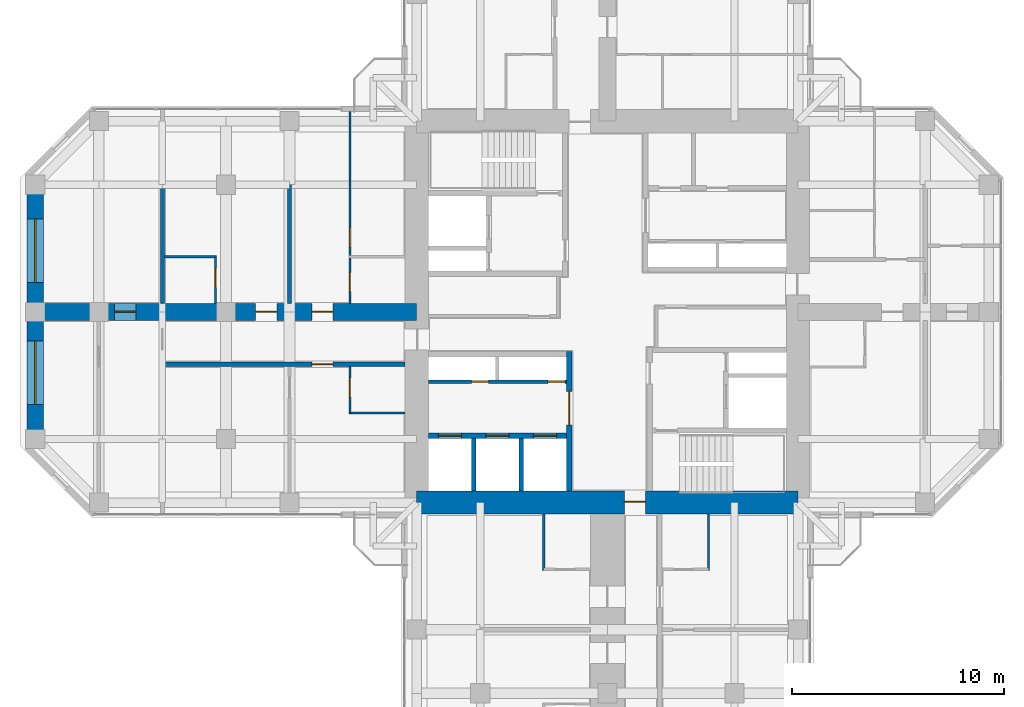
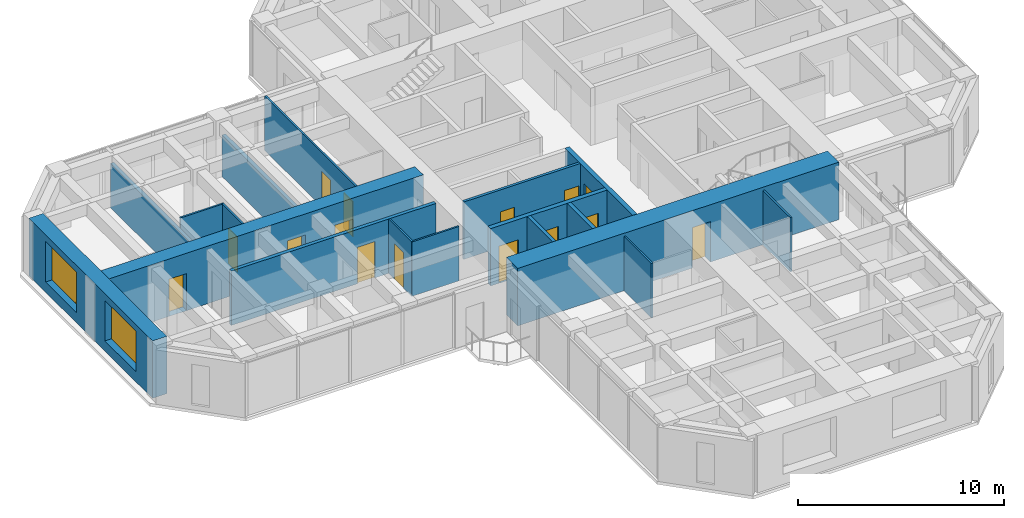
# One storey, part 9 of 14: 18 walls, 15 doors, 2 windows, 17 openings.
"""IFC4 building model written with IfcOpenShell, lengths in metres."""

from ifc_helpers import new_model, si_unit, direction, frame, frame_2d, origin, place, context, subcontext, project, spatial, rectangle, hollow_rectangle, extrude, material, layer, layer_set, constituent, constituent_set, type_object, element, fill, save


model = new_model("IFC4")

# Units and contexts
model_context = context("Model", 3, precision=1e-05, world=origin(), true_north=direction((0.0, 1.0)))
body_context = subcontext(model_context, "Body", "Model", "MODEL_VIEW")
ifc_project = project(units=[si_unit("LENGTHUNIT", "METRE"), si_unit("AREAUNIT", "SQUARE_METRE"), si_unit("VOLUMEUNIT", "CUBIC_METRE"), si_unit("PLANEANGLEUNIT", "RADIAN"), si_unit("MASSUNIT", "GRAM", prefix="KILO")], contexts=[model_context])

# Site, building, storey
site_placement = place(None, origin())
site = spatial("IfcSite", under=ifc_project, at=site_placement, CompositionType="ELEMENT")
building_placement = place(site_placement, origin())
building = spatial("IfcBuilding", under=site, at=building_placement, Name="Torre Cruceta", CompositionType="ELEMENT")
storey_placement = place(building_placement, frame((0.0, 0.0, 203.5)))
storey = spatial("IfcBuildingStorey", under=building, at=storey_placement, Name="L51", CompositionType="ELEMENT", Elevation=203.5)

# Walls
ifc_material_1 = material(Name="Water-resistant plasterboard on steel studs", Category="steel")
ifc_layer_1 = layer(ifc_material_1, 0.10009765625)
ifc_layer_set_1 = layer_set([ifc_layer_1], Name="Water-resistant plasterboard on steel studs")
wall_type_1 = type_object("IfcWallType", Name="BATHROOM WALL 100", PredefinedType="PARTITIONING", material=ifc_layer_set_1)
for number, where, z_axis, x_axis, name in (
    (1, (4.77490234375, -9.550048828125, 0.0), (0.0, 0.0, 1.0), (0.0, -1.0, 0.0), "PT4 L51-S-U1LBB"),
    (2, (-3.0, -9.550048828125, 0.0), (0.0, 0.0, 1.0), (0.0, -1.0, 0.0), "PT4 L51-S-U1RBB"),
    (3, (-9.550048828125, -4.77490234375, 0.0), (0.0, 0.0, 1.0), (-1.0, 0.0, 0.0), "PT4 L51-W-U1LBB"),
):
    element("IfcWall", number, at=place(storey_placement, frame(where, z_axis=z_axis, x_axis=x_axis)), inside=storey, type_object=wall_type_1, Name=name, PredefinedType="PARTITIONING", context=body_context, shape_type="SweptSolid", body=[
        extrude(rectangle(XDim=2.64990234375, YDim=0.10009765625, at=frame_2d((1.324951171875, 0.0))), origin(), (0.0, 0.0, 1.0), 3.219970703125),
    ])

# Wall, opening, door
wall_1_placement = place(storey_placement, frame((-12.14990234375, -2.574951171875, 0.0), z_axis=(0.0, 0.0, 1.0), x_axis=(0.0, -1.0, 0.0)))
wall_1 = element("IfcWall", 4, at=wall_1_placement, inside=storey, type_object=wall_type_1, Name="PT4 L51-W-U1LBS", PredefinedType="PARTITIONING", context=body_context, shape_type="SweptSolid", body=[
    extrude(rectangle(XDim=2.199951171875, YDim=0.10009765625, at=frame_2d((1.10009765625, 0.0))), origin(), (0.0, 0.0, 1.0), 3.219970703125),
])
opening_1_placement = place(wall_1_placement, frame((0.550048828125, 0.0, 0.0)))
opening_1 = element("IfcOpeningElement", 5, at=opening_1_placement, cuts=wall_1, Name="Opening D7", PredefinedType="OPENING", context=body_context, shape_type="SweptSolid", body=[
    extrude(rectangle(XDim=0.89990234375, YDim=2.10009765625, at=frame_2d((0.449951171875, 1.050048828125))), frame((0.0, 0.06005859375, 0.0), z_axis=(0.0, -1.0, 0.0), x_axis=(1.0, 0.0, 0.0)), (0.0, 0.0, 1.0), 0.1201171875),
])
ifc_material_2 = material(Name="Timber door", Category="wood")
door_type_1 = type_object("IfcDoorType", Name="BATHROOM DOOR 900X2100", OperationType="SINGLE_SWING_LEFT", PredefinedType="DOOR", material=ifc_material_2)
door_1_placement = place(opening_1_placement, origin())
door_1 = element("IfcDoor", 6, at=door_1_placement, inside=storey, type_object=door_type_1, Name="D7 L51-W-U1LBS-D1", OperationType="SINGLE_SWING_LEFT", OverallHeight=2.10009765625, OverallWidth=0.89990234375, PredefinedType="DOOR", context=body_context, shape_type="SweptSolid", body=[
    extrude(rectangle(XDim=0.89990234375, YDim=2.10009765625, at=frame_2d((0.449951171875, 1.050048828125))), frame((0.0, 0.02490234375, 0.0), z_axis=(0.0, -1.0, 0.0), x_axis=(1.0, 0.0, 0.0)), (0.0, 0.0, 1.0), 0.050048828125),
])
fill(opening_1, door_1)

# Wall, openings, doors
wall_2_placement = place(storey_placement, frame((-12.14990234375, 9.445068359375, 0.0), z_axis=(0.0, 0.0, 1.0), x_axis=(0.0, -1.0, 0.0)))
wall_2 = element("IfcWall", 7, at=wall_2_placement, inside=storey, type_object=wall_type_1, Name="PT4 L51-W-U1RBS", PredefinedType="PARTITIONING", context=body_context, shape_type="SweptSolid", body=[
    extrude(rectangle(XDim=9.045166015625, YDim=0.10009765625, at=frame_2d((4.5224609375, 0.0))), origin(), (0.0, 0.0, 1.0), 3.219970703125),
])
opening_2_placement = place(wall_2_placement, frame((5.4951171875, 0.0, 0.0)))
opening_2 = element("IfcOpeningElement", 8, at=opening_2_placement, cuts=wall_2, Name="Opening D7", PredefinedType="OPENING", context=body_context, shape_type="SweptSolid", body=[
    extrude(rectangle(XDim=0.89990234375, YDim=2.10009765625, at=frame_2d((0.449951171875, 1.050048828125))), frame((0.0, 0.06005859375, 0.0), z_axis=(0.0, -1.0, 0.0), x_axis=(1.0, 0.0, 0.0)), (0.0, 0.0, 1.0), 0.1201171875),
])
opening_3_placement = place(wall_2_placement, frame((7.594970703125, 0.0, 0.0)))
opening_3 = element("IfcOpeningElement", 9, at=opening_3_placement, cuts=wall_2, Name="Opening D7", PredefinedType="OPENING", context=body_context, shape_type="SweptSolid", body=[
    extrude(rectangle(XDim=0.89990234375, YDim=2.10009765625, at=frame_2d((0.449951171875, 1.050048828125))), frame((0.0, 0.06005859375, 0.0), z_axis=(0.0, -1.0, 0.0), x_axis=(1.0, 0.0, 0.0)), (0.0, 0.0, 1.0), 0.1201171875),
])
door_2_placement = place(opening_2_placement, origin())
door_2 = element("IfcDoor", 10, at=door_2_placement, inside=storey, type_object=door_type_1, Name="D7 L51-W-U1RBS-D1", OperationType="SINGLE_SWING_RIGHT", OverallHeight=2.10009765625, OverallWidth=0.89990234375, PredefinedType="DOOR", context=body_context, shape_type="SweptSolid", body=[
    extrude(rectangle(XDim=0.89990234375, YDim=2.10009765625, at=frame_2d((0.449951171875, 1.050048828125))), frame((0.0, 0.02490234375, 0.0), z_axis=(0.0, -1.0, 0.0), x_axis=(1.0, 0.0, 0.0)), (0.0, 0.0, 1.0), 0.050048828125),
])
fill(opening_2, door_2)
door_3_placement = place(opening_3_placement, origin())
door_3 = element("IfcDoor", 11, at=door_3_placement, inside=storey, type_object=door_type_1, Name="D7 L51-W-U1RBS-D2", OperationType="SINGLE_SWING_RIGHT", OverallHeight=2.10009765625, OverallWidth=0.89990234375, PredefinedType="DOOR", context=body_context, shape_type="SweptSolid", body=[
    extrude(rectangle(XDim=0.89990234375, YDim=2.10009765625, at=frame_2d((0.449951171875, 1.050048828125))), frame((0.0, 0.02490234375, 0.0), z_axis=(0.0, -1.0, 0.0), x_axis=(1.0, 0.0, 0.0)), (0.0, 0.0, 1.0), 0.050048828125),
])
fill(opening_3, door_3)

# Wall
wall_3_placement = place(storey_placement, frame((-18.449951171875, 2.60009765625, 0.0), z_axis=(0.0, 0.0, 1.0), x_axis=(-1.0, 0.0, 0.0)))
element("IfcWall", 12, at=wall_3_placement, inside=storey, type_object=wall_type_1, Name="PT4 L51-W-U2RBB", PredefinedType="PARTITIONING", context=body_context, shape_type="SweptSolid", body=[
    extrude(rectangle(XDim=2.449951171875, YDim=0.10009765625, at=frame_2d((1.22509765625, 0.0))), origin(), (0.0, 0.0, 1.0), 3.219970703125),
])

# Wall, opening, door
wall_4_placement = place(storey_placement, frame((-18.5, 2.60009765625, 0.0), z_axis=(0.0, 0.0, 1.0), x_axis=(0.0, -1.0, 0.0)))
wall_4 = element("IfcWall", 13, at=wall_4_placement, inside=storey, type_object=wall_type_1, Name="PT4 L51-W-U2RBS", PredefinedType="PARTITIONING", context=body_context, shape_type="SweptSolid", body=[
    extrude(rectangle(XDim=2.2001953125, YDim=0.10009765625, at=frame_2d((1.10009765625, 0.0))), origin(), (0.0, 0.0, 1.0), 3.219970703125),
])
opening_4_placement = place(wall_4_placement, frame((0.550048828125, 0.0, 0.0)))
opening_4 = element("IfcOpeningElement", 14, at=opening_4_placement, cuts=wall_4, Name="Opening D7", PredefinedType="OPENING", context=body_context, shape_type="SweptSolid", body=[
    extrude(rectangle(XDim=0.89990234375, YDim=2.10009765625, at=frame_2d((0.449951171875, 1.050048828125))), frame((0.0, 0.06005859375, 0.0), z_axis=(0.0, -1.0, 0.0), x_axis=(1.0, 0.0, 0.0)), (0.0, 0.0, 1.0), 0.1201171875),
])
door_4_placement = place(opening_4_placement, frame((0.89990234375, 0.0, 0.0), z_axis=(0.0, 0.0, 1.0), x_axis=(-1.0, 0.0, 0.0)))
door_4 = element("IfcDoor", 15, at=door_4_placement, inside=storey, type_object=door_type_1, Name="D7 L51-W-U2RBS-D1", OperationType="SINGLE_SWING_RIGHT", OverallHeight=2.10009765625, OverallWidth=0.89990234375, PredefinedType="DOOR", context=body_context, shape_type="SweptSolid", body=[
    extrude(rectangle(XDim=0.89990234375, YDim=2.10009765625, at=frame_2d((0.449951171875, 1.050048828125))), frame((0.0, 0.025146484375, 0.0), z_axis=(0.0, -1.0, 0.0), x_axis=(1.0, 0.0, 0.0)), (0.0, 0.0, 1.0), 0.050048828125),
])
fill(opening_4, door_4)

ifc_material_3 = material(Name="Concrete G60 (fck 60 MPa)", Category="concrete")
ifc_layer_2 = layer(ifc_material_3, 0.25)
ifc_layer_set_2 = layer_set([ifc_layer_2], Name="Concrete G60 (fck 60 MPa)")
wall_type_2 = type_object("IfcWallType", Name="CORE INNER WALL 250 G60", PredefinedType="SHEAR", material=ifc_layer_set_2)
wall_5_placement = place(storey_placement, frame((-1.800048828125, -1.875, 0.0), z_axis=(0.0, 0.0, 1.0), x_axis=(0.0, -1.0, 0.0)))
wall_5 = element("IfcWall", 16, at=wall_5_placement, inside=storey, type_object=wall_type_2, Name="CW4 L51 SW-CU", PredefinedType="SHEAR", context=body_context, shape_type="SweptSolid", body=[
    extrude(rectangle(XDim=6.574951171875, YDim=0.25, at=frame_2d((3.28759765625, 0.0))), origin(), (0.0, 0.0, 1.0), 3.39990234375),
])
opening_5_placement = place(wall_5_placement, frame((1.875, 0.0, 0.0)))
opening_5 = element("IfcOpeningElement", 17, at=opening_5_placement, cuts=wall_5, Name="Opening D8", PredefinedType="OPENING", context=body_context, shape_type="SweptSolid", body=[
    extrude(rectangle(XDim=1.60009765625, YDim=2.39990234375, at=frame_2d((0.800048828125, 1.199951171875))), frame((0.0, 0.135009765625, 0.0), z_axis=(0.0, -1.0, 0.0), x_axis=(1.0, 0.0, 0.0)), (0.0, 0.0, 1.0), 0.27001953125),
])
ifc_material_4 = material(Name="Steel DX51D", Category="steel")
ifc_constituent_1 = constituent(ifc_material_4, Name="Leaf and frame")
ifc_material_5 = material(Name="Polyester powder coating", Category="paint")
ifc_constituent_2 = constituent(ifc_material_5, Name="Finish")
ifc_material_6 = material(Name="Fire-resisting glass", Category="glass")
ifc_constituent_3 = constituent(ifc_material_6, Name="Vision panel")
ifc_constituent_set_1 = constituent_set(constituents=[ifc_constituent_1, ifc_constituent_2, ifc_constituent_3], Name="Steel fire door with vision panels")
door_type_2 = type_object("IfcDoorType", Name="LIFT LOBBY DOUBLE DOOR 1600X2400", OperationType="DOUBLE_DOOR_DOUBLE_SWING", PredefinedType="DOOR", material=ifc_constituent_set_1)
door_5_placement = place(opening_5_placement, origin())
door_5 = element("IfcDoor", 18, at=door_5_placement, inside=storey, type_object=door_type_2, Name="D8 L51 SW-LOBBY", OperationType="DOUBLE_DOOR_DOUBLE_SWING", OverallHeight=2.39990234375, OverallWidth=1.60009765625, PredefinedType="DOOR", context=body_context, shape_type="SweptSolid", body=[
    extrude(rectangle(XDim=1.60009765625, YDim=2.39990234375, at=frame_2d((0.800048828125, 1.199951171875))), frame((0.0, 0.02490234375, 0.0), z_axis=(0.0, -1.0, 0.0), x_axis=(1.0, 0.0, 0.0)), (0.0, 0.0, 1.0), 0.050048828125),
])
fill(opening_5, door_5)

# Wall, openings, doors
wall_6_placement = place(storey_placement, frame((-1.925048828125, -5.85009765625, 0.0), z_axis=(0.0, 0.0, 1.0), x_axis=(-1.0, 0.0, 0.0)))
wall_6 = element("IfcWall", 19, at=wall_6_placement, inside=storey, type_object=wall_type_2, Name="CW4 L51 SW-LV", PredefinedType="SHEAR", context=body_context, shape_type="SweptSolid", body=[
    extrude(rectangle(XDim=6.52490234375, YDim=0.25, at=frame_2d((3.262451171875, 0.0))), origin(), (0.0, 0.0, 1.0), 3.39990234375),
])
opening_6_placement = place(wall_6_placement, frame((0.470947265625, 0.0, 0.0)))
opening_6 = element("IfcOpeningElement", 20, at=opening_6_placement, cuts=wall_6, Name="Opening LD1", PredefinedType="OPENING", context=body_context, shape_type="SweptSolid", body=[
    extrude(rectangle(XDim=1.10009765625, YDim=2.199951171875, at=frame_2d((0.550048828125, 1.10009765625))), frame((0.0, 0.135009765625, 0.0), z_axis=(0.0, -1.0, 0.0), x_axis=(1.0, 0.0, 0.0)), (0.0, 0.0, 1.0), 0.27001953125),
])
opening_7_placement = place(wall_6_placement, frame((2.71240234375, 0.0, 0.0)))
opening_7 = element("IfcOpeningElement", 21, at=opening_7_placement, cuts=wall_6, Name="Opening LD1", PredefinedType="OPENING", context=body_context, shape_type="SweptSolid", body=[
    extrude(rectangle(XDim=1.10009765625, YDim=2.199951171875, at=frame_2d((0.550048828125, 1.10009765625))), frame((0.0, 0.135009765625, 0.0), z_axis=(0.0, -1.0, 0.0), x_axis=(1.0, 0.0, 0.0)), (0.0, 0.0, 1.0), 0.27001953125),
])
opening_8_placement = place(wall_6_placement, frame((4.9541015625, 0.0, 0.0)))
opening_8 = element("IfcOpeningElement", 22, at=opening_8_placement, cuts=wall_6, Name="Opening LD1", PredefinedType="OPENING", context=body_context, shape_type="SweptSolid", body=[
    extrude(rectangle(XDim=1.10009765625, YDim=2.199951171875, at=frame_2d((0.550048828125, 1.10009765625))), frame((0.0, 0.135009765625, 0.0), z_axis=(0.0, -1.0, 0.0), x_axis=(1.0, 0.0, 0.0)), (0.0, 0.0, 1.0), 0.27001953125),
])
ifc_material_7 = material(Name="Stainless steel 1.4401", Category="steel")
door_type_3 = type_object("IfcDoorType", Name="LIFT LANDING DOOR 1100X2200", OperationType="DOUBLE_DOOR_SLIDING", PredefinedType="DOOR", material=ifc_material_7)
door_6_placement = place(opening_6_placement, origin())
door_6 = element("IfcDoor", 23, at=door_6_placement, inside=storey, type_object=door_type_3, Name="Lift landing door R1", OperationType="DOUBLE_DOOR_SLIDING", OverallHeight=2.199951171875, OverallWidth=1.10009765625, PredefinedType="DOOR", context=body_context, shape_type="SweptSolid", body=[
    extrude(rectangle(XDim=1.10009765625, YDim=2.199951171875, at=frame_2d((0.550048828125, 1.10009765625))), frame((0.0, 0.02490234375, 0.0), z_axis=(0.0, -1.0, 0.0), x_axis=(1.0, 0.0, 0.0)), (0.0, 0.0, 1.0), 0.050048828125),
])
fill(opening_6, door_6)
door_7_placement = place(opening_7_placement, origin())
door_7 = element("IfcDoor", 24, at=door_7_placement, inside=storey, type_object=door_type_3, Name="Lift landing door R2", OperationType="DOUBLE_DOOR_SLIDING", OverallHeight=2.199951171875, OverallWidth=1.10009765625, PredefinedType="DOOR", context=body_context, shape_type="SweptSolid", body=[
    extrude(rectangle(XDim=1.10009765625, YDim=2.199951171875, at=frame_2d((0.550048828125, 1.10009765625))), frame((0.0, 0.02490234375, 0.0), z_axis=(0.0, -1.0, 0.0), x_axis=(1.0, 0.0, 0.0)), (0.0, 0.0, 1.0), 0.050048828125),
])
fill(opening_7, door_7)
door_8_placement = place(opening_8_placement, origin())
door_8 = element("IfcDoor", 25, at=door_8_placement, inside=storey, type_object=door_type_3, Name="Lift landing door R3", OperationType="DOUBLE_DOOR_SLIDING", OverallHeight=2.199951171875, OverallWidth=1.10009765625, PredefinedType="DOOR", context=body_context, shape_type="SweptSolid", body=[
    extrude(rectangle(XDim=1.10009765625, YDim=2.199951171875, at=frame_2d((0.550048828125, 1.10009765625))), frame((0.0, 0.02490234375, 0.0), z_axis=(0.0, -1.0, 0.0), x_axis=(1.0, 0.0, 0.0)), (0.0, 0.0, 1.0), 0.050048828125),
])
fill(opening_8, door_8)

# Wall, opening, door
ifc_material_8 = material(Name="Concrete G60 (fck 60 MPa)", Category="concrete")
ifc_layer_3 = layer(ifc_material_8, 1.10009765625)
ifc_layer_set_3 = layer_set([ifc_layer_3], Name="Concrete G60 (fck 60 MPa)")
wall_type_3 = type_object("IfcWallType", Name="CORE WALL 1100 G60", PredefinedType="SHEAR", material=ifc_layer_set_3)
wall_7_placement = place(storey_placement, frame((-9.0, -9.0, 0.0), z_axis=(0.0, 0.0, 1.0), x_axis=(1.0, 0.0, 0.0)))
wall_7 = element("IfcWall", 26, at=wall_7_placement, inside=storey, type_object=wall_type_3, Name="CW2 L51 CW-S", PredefinedType="SHEAR", context=body_context, shape_type="SweptSolid", body=[
    extrude(rectangle(XDim=18.0, YDim=1.10009765625, at=frame_2d((9.0, 0.0))), origin(), (0.0, 0.0, 1.0), 3.39990234375),
])
opening_9_placement = place(wall_7_placement, frame((9.800048828125, 0.0, 0.0)))
opening_9 = element("IfcOpeningElement", 27, at=opening_9_placement, cuts=wall_7, Name="Opening D4", PredefinedType="OPENING", context=body_context, shape_type="SweptSolid", body=[
    extrude(rectangle(XDim=1.0, YDim=2.39990234375, at=frame_2d((0.5, 1.199951171875))), frame((0.0, 0.56005859375, 0.0), z_axis=(0.0, -1.0, 0.0), x_axis=(1.0, 0.0, 0.0)), (0.0, 0.0, 1.0), 1.1201171875),
])
ifc_material_9 = material(Name="Steel DX51D", Category="steel")
ifc_constituent_4 = constituent(ifc_material_9, Name="Leaf and frame")
ifc_material_10 = material(Name="Polyester powder coating", Category="paint")
ifc_constituent_5 = constituent(ifc_material_10, Name="Finish")
ifc_constituent_set_2 = constituent_set(constituents=[ifc_constituent_4, ifc_constituent_5], Name="Steel fire door")
door_type_4 = type_object("IfcDoorType", Name="CORE ARM DOOR 1000X2400", OperationType="SINGLE_SWING_RIGHT", PredefinedType="DOOR", material=ifc_constituent_set_2)
door_9_placement = place(opening_9_placement, origin())
door_9 = element("IfcDoor", 28, at=door_9_placement, inside=storey, type_object=door_type_4, Name="D4 L51 CW-S", OperationType="SINGLE_SWING_RIGHT", OverallHeight=2.39990234375, OverallWidth=1.0, PredefinedType="DOOR", context=body_context, shape_type="SweptSolid", body=[
    extrude(rectangle(XDim=1.0, YDim=2.39990234375, at=frame_2d((0.5, 1.199951171875))), frame((0.0, 0.05517578125, 0.0), z_axis=(0.0, -1.0, 0.0), x_axis=(1.0, 0.0, 0.0)), (0.0, 0.0, 1.0), 0.050048828125),
])
fill(opening_9, door_9)

ifc_material_11 = material(Name="Concrete G25 (fck 25 MPa)", Category="concrete")
ifc_layer_4 = layer(ifc_material_11, 0.199951171875)
ifc_layer_set_4 = layer_set([ifc_layer_4], Name="Concrete G25 (fck 25 MPa)")
wall_type_4 = type_object("IfcWallType", Name="CORRIDOR WALL 200", PredefinedType="SOLIDWALL", material=ifc_layer_set_4)
wall_8_placement = place(storey_placement, frame((-9.550048828125, -2.47509765625, 0.0), z_axis=(0.0, 0.0, 1.0), x_axis=(-1.0, 0.0, 0.0)))
wall_8 = element("IfcWall", 29, at=wall_8_placement, inside=storey, type_object=wall_type_4, Name="PT3 L51-W-CL", PredefinedType="SOLIDWALL", context=body_context, shape_type="SweptSolid", body=[
    extrude(rectangle(XDim=11.449951171875, YDim=0.199951171875, at=frame_2d((5.72509765625, 0.0))), origin(), (0.0, 0.0, 1.0), 3.219970703125),
])
opening_10_placement = place(wall_8_placement, frame((3.39990234375, 0.0, 0.0)))
opening_10 = element("IfcOpeningElement", 30, at=opening_10_placement, cuts=wall_8, Name="Opening D6", PredefinedType="OPENING", context=body_context, shape_type="SweptSolid", body=[
    extrude(rectangle(XDim=1.0, YDim=2.14990234375, at=frame_2d((0.5, 1.074951171875))), frame((0.0, 0.10986328125, 0.0), z_axis=(0.0, -1.0, 0.0), x_axis=(1.0, 0.0, 0.0)), (0.0, 0.0, 1.0), 0.219970703125),
])
ifc_material_12 = material(Name="Timber fire door", Category="wood")
door_type_5 = type_object("IfcDoorType", Name="UNIT ENTRANCE DOOR 1000X2150", OperationType="SINGLE_SWING_LEFT", PredefinedType="DOOR", material=ifc_material_12)
door_10_placement = place(opening_10_placement, origin())
door_10 = element("IfcDoor", 31, at=door_10_placement, inside=storey, type_object=door_type_5, Name="D6 L51-W-CL-D1", OperationType="SINGLE_SWING_LEFT", OverallHeight=2.14990234375, OverallWidth=1.0, PredefinedType="DOOR", context=body_context, shape_type="SweptSolid", body=[
    extrude(rectangle(XDim=1.0, YDim=2.14990234375, at=frame_2d((0.5, 1.074951171875))), frame((0.0, 0.02490234375, 0.0), z_axis=(0.0, -1.0, 0.0), x_axis=(1.0, 0.0, 0.0)), (0.0, 0.0, 1.0), 0.050048828125),
])
fill(opening_10, door_10)

# Walls
ifc_material_13 = material(Name="Concrete G35 (fck 35 MPa)", Category="concrete")
ifc_layer_5 = layer(ifc_material_13, 0.199951171875)
ifc_layer_set_5 = layer_set([ifc_layer_5], Name="Concrete G35 (fck 35 MPa)")
wall_type_5 = type_object("IfcWallType", Name="LIFT SHAFT WALL 200", PredefinedType="PARTITIONING", material=ifc_layer_set_5)
for number, where, z_axis, x_axis, name in (
    (32, (-4.066650390625, -5.97509765625, 0.0), (0.0, 0.0, 1.0), (0.0, -1.0, 0.0), "SW1 L51 SW-LS1"),
    (33, (-6.308349609375, -5.97509765625, 0.0), (0.0, 0.0, 1.0), (0.0, -1.0, 0.0), "SW1 L51 SW-LS2"),
):
    element("IfcWall", number, at=place(storey_placement, frame(where, z_axis=z_axis, x_axis=x_axis)), inside=storey, type_object=wall_type_5, Name=name, PredefinedType="PARTITIONING", context=body_context, shape_type="SweptSolid", body=[
        extrude(rectangle(XDim=2.474853515625, YDim=0.199951171875, at=frame_2d((1.2373046875, 0.0))), origin(), (0.0, 0.0, 1.0), 3.39990234375),
    ])

# Wall, openings, windows
ifc_material_14 = material(Name="Concrete G60 (fck 60 MPa)", Category="concrete")
ifc_layer_6 = layer(ifc_material_14, 0.800048828125)
ifc_layer_set_6 = layer_set([ifc_layer_6], Name="Concrete G60 (fck 60 MPa)")
wall_type_6 = type_object("IfcWallType", Name="NOSE WALL 800 G60", PredefinedType="SHEAR", material=ifc_layer_set_6)
wall_9_placement = place(storey_placement, frame((-27.0, 6.0, 0.0), z_axis=(0.0, 0.0, 1.0), x_axis=(0.0, -1.0, 0.0)))
wall_9 = element("IfcWall", 34, at=wall_9_placement, inside=storey, type_object=wall_type_6, Name="NW2 nose wall L51 W", PredefinedType="SHEAR", context=body_context, shape_type="SweptSolid", body=[
    extrude(rectangle(XDim=12.0, YDim=0.800048828125, at=frame_2d((6.0, 0.0))), origin(), (0.0, 0.0, 1.0), 3.39990234375),
])
opening_11_placement = place(wall_9_placement, frame((1.625, 0.0, 0.60009765625)))
opening_11 = element("IfcOpeningElement", 35, at=opening_11_placement, cuts=wall_9, Name="Opening WN6", PredefinedType="OPENING", context=body_context, shape_type="SweptSolid", body=[
    extrude(rectangle(XDim=3.0, YDim=2.39990234375, at=frame_2d((1.5, 1.199951171875))), frame((0.0, 0.409912109375, 0.0), z_axis=(0.0, -1.0, 0.0), x_axis=(1.0, 0.0, 0.0)), (0.0, 0.0, 1.0), 0.820068359375),
])
opening_12_placement = place(wall_9_placement, frame((7.375, 0.0, 0.60009765625)))
opening_12 = element("IfcOpeningElement", 36, at=opening_12_placement, cuts=wall_9, Name="Opening WN6", PredefinedType="OPENING", context=body_context, shape_type="SweptSolid", body=[
    extrude(rectangle(XDim=3.0, YDim=2.39990234375, at=frame_2d((1.5, 1.199951171875))), frame((0.0, 0.409912109375, 0.0), z_axis=(0.0, -1.0, 0.0), x_axis=(1.0, 0.0, 0.0)), (0.0, 0.0, 1.0), 0.820068359375),
])
ifc_material_15 = material(Name="Aluminium window frame", Category="aluminium")
ifc_constituent_6 = constituent(ifc_material_15, Name="Frame")
ifc_material_16 = material(Name="Laminated insulating glass unit, low-iron clear", Category="glass")
ifc_constituent_7 = constituent(ifc_material_16, Name="Glazing")
ifc_constituent_set_3 = constituent_set(constituents=[ifc_constituent_6, ifc_constituent_7], Name="Aluminium window")
window_type = type_object("IfcWindowType", Name="NOSE WALL WINDOW 3000X2400", PartitioningType="SINGLE_PANEL", PredefinedType="WINDOW", material=ifc_constituent_set_3)
window_1_placement = place(opening_11_placement, origin())
window_1 = element("IfcWindow", 37, at=window_1_placement, inside=storey, type_object=window_type, Name="WN6 L51 W 1", OverallHeight=2.39990234375, OverallWidth=3.0, PartitioningType="SINGLE_PANEL", PredefinedType="WINDOW", context=body_context, shape_type="SweptSolid", body=[
    extrude(hollow_rectangle(XDim=3.0, YDim=2.39990234375, WallThickness=0.06005859375, at=frame_2d((1.5, 1.199951171875))), frame((0.0, 0.030029296875, 0.0), z_axis=(0.0, -1.0, 0.0), x_axis=(1.0, 0.0, 0.0)), (0.0, 0.0, 1.0), 0.06005859375),
    extrude(rectangle(XDim=2.87890625, YDim=2.27880859375, at=frame_2d((1.5, 1.199951171875))), frame((0.0, 0.030029296875, 0.0), z_axis=(0.0, -1.0, 0.0), x_axis=(1.0, 0.0, 0.0)), (0.0, 0.0, 1.0), 0.06005859375),
])
fill(opening_11, window_1)
window_2_placement = place(opening_12_placement, origin())
window_2 = element("IfcWindow", 38, at=window_2_placement, inside=storey, type_object=window_type, Name="WN6 L51 W 2", OverallHeight=2.39990234375, OverallWidth=3.0, PartitioningType="SINGLE_PANEL", PredefinedType="WINDOW", context=body_context, shape_type="SweptSolid", body=[
    extrude(hollow_rectangle(XDim=3.0, YDim=2.39990234375, WallThickness=0.06005859375, at=frame_2d((1.5, 1.199951171875))), frame((0.0, 0.030029296875, 0.0), z_axis=(0.0, -1.0, 0.0), x_axis=(1.0, 0.0, 0.0)), (0.0, 0.0, 1.0), 0.06005859375),
    extrude(rectangle(XDim=2.87890625, YDim=2.27880859375, at=frame_2d((1.5, 1.199951171875))), frame((0.0, 0.030029296875, 0.0), z_axis=(0.0, -1.0, 0.0), x_axis=(1.0, 0.0, 0.0)), (0.0, 0.0, 1.0), 0.06005859375),
])
fill(opening_12, window_2)

# Wall, openings, doors
ifc_material_17 = material(Name="Concrete block masonry", Category="masonry")
ifc_layer_7 = layer(ifc_material_17, 0.14990234375)
ifc_layer_set_7 = layer_set([ifc_layer_7], Name="Concrete block masonry")
wall_type_7 = type_object("IfcWallType", Name="RISER WALL 150", PredefinedType="PARTITIONING", material=ifc_layer_set_7)
wall_10_placement = place(storey_placement, frame((-1.925048828125, -3.300048828125, 0.0), z_axis=(0.0, 0.0, 1.0), x_axis=(-1.0, 0.0, 0.0)))
wall_10 = element("IfcWall", 39, at=wall_10_placement, inside=storey, type_object=wall_type_7, Name="SW7 L51 SW-RV", PredefinedType="PARTITIONING", context=body_context, shape_type="SweptSolid", body=[
    extrude(rectangle(XDim=6.52490234375, YDim=0.14990234375, at=frame_2d((3.262451171875, 0.0))), origin(), (0.0, 0.0, 1.0), 3.39990234375),
])
opening_13_placement = place(wall_10_placement, frame((0.074951171875, 0.0, 0.0)))
opening_13 = element("IfcOpeningElement", 40, at=opening_13_placement, cuts=wall_10, Name="Opening D5", PredefinedType="OPENING", context=body_context, shape_type="SweptSolid", body=[
    extrude(rectangle(XDim=0.800048828125, YDim=2.10009765625, at=frame_2d((0.39990234375, 1.050048828125))), frame((0.0, 0.0849609375, 0.0), z_axis=(0.0, -1.0, 0.0), x_axis=(1.0, 0.0, 0.0)), (0.0, 0.0, 1.0), 0.169921875),
])
opening_14_placement = place(wall_10_placement, frame((3.675048828125, 0.0, 0.0)))
opening_14 = element("IfcOpeningElement", 41, at=opening_14_placement, cuts=wall_10, Name="Opening D5", PredefinedType="OPENING", context=body_context, shape_type="SweptSolid", body=[
    extrude(rectangle(XDim=0.800048828125, YDim=2.10009765625, at=frame_2d((0.39990234375, 1.050048828125))), frame((0.0, 0.0849609375, 0.0), z_axis=(0.0, -1.0, 0.0), x_axis=(1.0, 0.0, 0.0)), (0.0, 0.0, 1.0), 0.169921875),
])
ifc_material_18 = material(Name="Steel DX51D", Category="steel")
ifc_constituent_8 = constituent(ifc_material_18, Name="Leaf and frame")
ifc_material_19 = material(Name="Polyester powder coating", Category="paint")
ifc_constituent_9 = constituent(ifc_material_19, Name="Finish")
ifc_constituent_set_4 = constituent_set(constituents=[ifc_constituent_8, ifc_constituent_9], Name="Steel fire door")
door_type_6 = type_object("IfcDoorType", Name="RISER ACCESS DOOR 800X2100", OperationType="SINGLE_SWING_LEFT", PredefinedType="DOOR", material=ifc_constituent_set_4)
door_11_placement = place(opening_13_placement, frame((0.800048828125, 0.0, 0.0), z_axis=(0.0, 0.0, 1.0), x_axis=(-1.0, 0.0, 0.0)))
door_11 = element("IfcDoor", 42, at=door_11_placement, inside=storey, type_object=door_type_6, Name="D5 L51 SW-RISER1", OperationType="SINGLE_SWING_RIGHT", OverallHeight=2.10009765625, OverallWidth=0.800048828125, PredefinedType="DOOR", context=body_context, shape_type="SweptSolid", body=[
    extrude(rectangle(XDim=0.800048828125, YDim=2.10009765625, at=frame_2d((0.400146484375, 1.050048828125))), frame((0.0, 0.025146484375, 0.0), z_axis=(0.0, -1.0, 0.0), x_axis=(1.0, 0.0, 0.0)), (0.0, 0.0, 1.0), 0.050048828125),
])
fill(opening_13, door_11)
door_12_placement = place(opening_14_placement, frame((0.800048828125, 0.0, 0.0), z_axis=(0.0, 0.0, 1.0), x_axis=(-1.0, 0.0, 0.0)))
door_12 = element("IfcDoor", 43, at=door_12_placement, inside=storey, type_object=door_type_6, Name="D5 L51 SW-RISER2", OperationType="SINGLE_SWING_RIGHT", OverallHeight=2.10009765625, OverallWidth=0.800048828125, PredefinedType="DOOR", context=body_context, shape_type="SweptSolid", body=[
    extrude(rectangle(XDim=0.800048828125, YDim=2.10009765625, at=frame_2d((0.400146484375, 1.050048828125))), frame((0.0, 0.025146484375, 0.0), z_axis=(0.0, -1.0, 0.0), x_axis=(1.0, 0.0, 0.0)), (0.0, 0.0, 1.0), 0.050048828125),
])
fill(opening_14, door_12)

ifc_material_20 = material(Name="Concrete G60 (fck 60 MPa)", Category="concrete")
ifc_layer_8 = layer(ifc_material_20, 0.800048828125)
ifc_layer_set_8 = layer_set([ifc_layer_8], Name="Concrete G60 (fck 60 MPa)")
wall_type_8 = type_object("IfcWallType", Name="SPINE WALL 800 G60", PredefinedType="SHEAR", material=ifc_layer_set_8)
wall_11_placement = place(storey_placement, frame((-9.0, 0.0, 0.0), z_axis=(0.0, 0.0, 1.0), x_axis=(-1.0, 0.0, 0.0)))
wall_11 = element("IfcWall", 44, at=wall_11_placement, inside=storey, type_object=wall_type_8, Name="SW4 spine wall L51 W", PredefinedType="SHEAR", context=body_context, shape_type="SweptSolid", body=[
    extrude(rectangle(XDim=18.0, YDim=0.800048828125, at=frame_2d((9.0, 0.0))), origin(), (0.0, 0.0, 1.0), 3.39990234375),
])
opening_15_placement = place(wall_11_placement, frame((3.949951171875, 0.0, 0.0)))
opening_15 = element("IfcOpeningElement", 45, at=opening_15_placement, cuts=wall_11, Name="Opening D6", PredefinedType="OPENING", context=body_context, shape_type="SweptSolid", body=[
    extrude(rectangle(XDim=1.0, YDim=2.14990234375, at=frame_2d((0.5, 1.074951171875))), frame((0.0, 0.409912109375, 0.0), z_axis=(0.0, -1.0, 0.0), x_axis=(1.0, 0.0, 0.0)), (0.0, 0.0, 1.0), 0.820068359375),
])
opening_16_placement = place(wall_11_placement, frame((6.60009765625, 0.0, 0.0)))
opening_16 = element("IfcOpeningElement", 46, at=opening_16_placement, cuts=wall_11, Name="Opening D6", PredefinedType="OPENING", context=body_context, shape_type="SweptSolid", body=[
    extrude(rectangle(XDim=1.0, YDim=2.14990234375, at=frame_2d((0.5, 1.074951171875))), frame((0.0, 0.409912109375, 0.0), z_axis=(0.0, -1.0, 0.0), x_axis=(1.0, 0.0, 0.0)), (0.0, 0.0, 1.0), 0.820068359375),
])
opening_17_placement = place(wall_11_placement, frame((13.25, 0.0, 0.0)))
opening_17 = element("IfcOpeningElement", 47, at=opening_17_placement, cuts=wall_11, Name="Opening D14", PredefinedType="OPENING", context=body_context, shape_type="SweptSolid", body=[
    extrude(rectangle(XDim=1.0, YDim=2.199951171875, at=frame_2d((0.5, 1.10009765625))), frame((0.0, 0.409912109375, 0.0), z_axis=(0.0, -1.0, 0.0), x_axis=(1.0, 0.0, 0.0)), (0.0, 0.0, 1.0), 0.820068359375),
])
ifc_material_21 = material(Name="Steel DX51D", Category="steel")
ifc_constituent_10 = constituent(ifc_material_21, Name="Leaf and frame")
ifc_material_22 = material(Name="Polyester powder coating", Category="paint")
ifc_constituent_11 = constituent(ifc_material_22, Name="Finish")
ifc_material_23 = material(Name="Fire-resisting glass", Category="glass")
ifc_constituent_12 = constituent(ifc_material_23, Name="Vision panel")
ifc_constituent_set_5 = constituent_set(constituents=[ifc_constituent_10, ifc_constituent_11, ifc_constituent_12], Name="Steel fire door with vision panel")
door_type_7 = type_object("IfcDoorType", Name="FIRE DOOR VISION PANEL 1000X2200", OperationType="SINGLE_SWING_RIGHT", PredefinedType="DOOR", material=ifc_constituent_set_5)
door_13_placement = place(opening_17_placement, origin())
door_13 = element("IfcDoor", 48, at=door_13_placement, inside=storey, type_object=door_type_7, Name="D14 L51-W-SP3", OperationType="SINGLE_SWING_RIGHT", OverallHeight=2.199951171875, OverallWidth=1.0, PredefinedType="DOOR", context=body_context, shape_type="SweptSolid", body=[
    extrude(rectangle(XDim=1.0, YDim=2.199951171875, at=frame_2d((0.5, 1.10009765625))), frame((0.0, 0.02490234375, 0.0), z_axis=(0.0, -1.0, 0.0), x_axis=(1.0, 0.0, 0.0)), (0.0, 0.0, 1.0), 0.050048828125),
])
fill(opening_17, door_13)
door_14_placement = place(opening_15_placement, frame((1.0, 0.0, 0.0), z_axis=(0.0, 0.0, 1.0), x_axis=(-1.0, 0.0, 0.0)))
door_14 = element("IfcDoor", 49, at=door_14_placement, inside=storey, type_object=door_type_5, Name="D6 L51-W-SP1", OperationType="SINGLE_SWING_RIGHT", OverallHeight=2.14990234375, OverallWidth=1.0, PredefinedType="DOOR", context=body_context, shape_type="SweptSolid", body=[
    extrude(rectangle(XDim=1.0, YDim=2.14990234375, at=frame_2d((0.5, 1.074951171875))), frame((0.0, 0.025146484375, 0.0), z_axis=(0.0, -1.0, 0.0), x_axis=(1.0, 0.0, 0.0)), (0.0, 0.0, 1.0), 0.050048828125),
])
fill(opening_15, door_14)
door_15_placement = place(opening_16_placement, frame((1.0, 0.0, 0.0), z_axis=(0.0, 0.0, 1.0), x_axis=(-1.0, 0.0, 0.0)))
door_15 = element("IfcDoor", 50, at=door_15_placement, inside=storey, type_object=door_type_5, Name="D6 L51-W-SP2", OperationType="SINGLE_SWING_RIGHT", OverallHeight=2.14990234375, OverallWidth=1.0, PredefinedType="DOOR", context=body_context, shape_type="SweptSolid", body=[
    extrude(rectangle(XDim=1.0, YDim=2.14990234375, at=frame_2d((0.5, 1.074951171875))), frame((0.0, 0.025146484375, 0.0), z_axis=(0.0, -1.0, 0.0), x_axis=(1.0, 0.0, 0.0)), (0.0, 0.0, 1.0), 0.050048828125),
])
fill(opening_16, door_15)

# Walls
ifc_material_24 = material(Name="Concrete G25 (fck 25 MPa)", Category="concrete")
ifc_layer_9 = layer(ifc_material_24, 0.199951171875)
ifc_layer_set_9 = layer_set([ifc_layer_9], Name="Concrete G25 (fck 25 MPa)")
wall_type_9 = type_object("IfcWallType", Name="UNIT SEPARATING WALL 200", PredefinedType="SOLIDWALL", material=ifc_layer_set_9)
wall_12_placement = place(storey_placement, frame((-15.0, 8.550048828125, 0.0), z_axis=(0.0, 0.0, 1.0), x_axis=(0.0, -1.0, 0.0)))
element("IfcWall", 51, at=wall_12_placement, inside=storey, type_object=wall_type_9, Name="PT2 L51-W-P1R", PredefinedType="SOLIDWALL", context=body_context, shape_type="SweptSolid", body=[
    extrude(rectangle(XDim=8.150146484375, YDim=0.199951171875, at=frame_2d((4.0751953125, 0.0))), origin(), (0.0, 0.0, 1.0), 2.469970703125),
])
wall_13_placement = place(storey_placement, frame((-21.0, 9.0, 0.0), z_axis=(0.0, 0.0, 1.0), x_axis=(0.0, -1.0, 0.0)))
element("IfcWall", 52, at=wall_13_placement, inside=storey, type_object=wall_type_9, Name="PT2 L51-W-ENDa 2", PredefinedType="SOLIDWALL", context=body_context, shape_type="SweptSolid", body=[
    extrude(rectangle(XDim=8.60009765625, YDim=0.199951171875, at=frame_2d((4.300048828125, 0.0))), origin(), (0.0, 0.0, 1.0), 2.6201171875),
])

save(model, "model.ifc")
